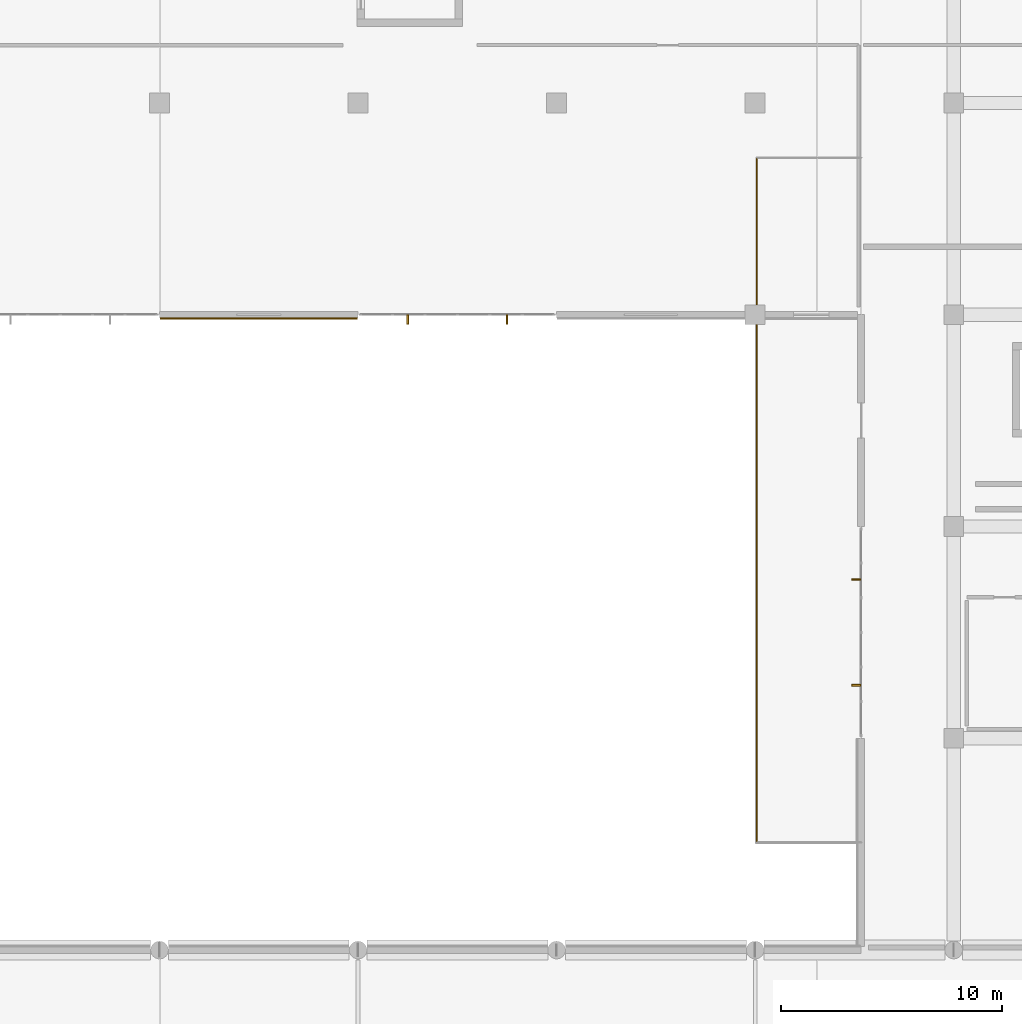
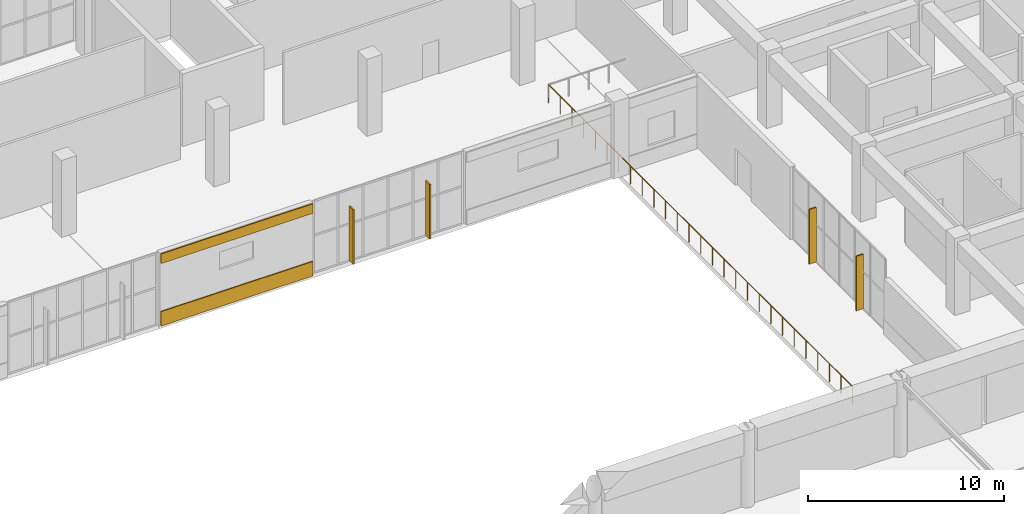
# One storey, part 89 of 96: 4 shading devices, 2 coverings, 1 railing.
"""IFC4 building model written with IfcOpenShell, lengths in metres."""

from ifc_helpers import new_model, si_unit, direction, frame, origin, origin_2d, place, context, subcontext, project, spatial, rectangle, circle, extrude, material, layer, layer_set, type_object, element, save


model = new_model("IFC4")

# Units and contexts
model_context = context("Model", 3, precision=1e-05, world=origin(), true_north=direction((0.0, 1.0)))
body_context = subcontext(model_context, "Body", "Model", "MODEL_VIEW")
ifc_project = project(units=[si_unit("LENGTHUNIT", "METRE"), si_unit("AREAUNIT", "SQUARE_METRE"), si_unit("VOLUMEUNIT", "CUBIC_METRE"), si_unit("PLANEANGLEUNIT", "RADIAN"), si_unit("MASSUNIT", "GRAM", prefix="KILO")], contexts=[model_context])

# Site, building, storey
site_placement = place(None, origin())
site = spatial("IfcSite", under=ifc_project, at=site_placement, CompositionType="ELEMENT")
building_placement = place(site_placement, origin())
building = spatial("IfcBuilding", under=site, at=building_placement, Name="Cendralis Terraced Arcade", CompositionType="ELEMENT")
storey_placement = place(building_placement, frame((0.0, 0.0, 10.199951171875)))
storey = spatial("IfcBuildingStorey", under=building, at=storey_placement, Name="L02", CompositionType="ELEMENT", Elevation=10.199951171875)

# Coverings
ifc_material_1 = material(Name="Precast concrete f'c 40 MPa", Category="concrete")
ifc_layer = layer(ifc_material_1, 0.06494140625, Name="COV-CLAD-GRC-65")
ifc_layer_set = layer_set([ifc_layer], Name="Precast concrete f'c 40 MPa")
covering_type = type_object("IfcCoveringType", Name="COV-CLAD-GRC-65", PredefinedType="CLADDING", material=ifc_layer_set)
covering_1_placement = place(storey_placement, frame((98.699951171875, 88.6201171875, 0.0), z_axis=(0.0, 0.0, 1.0), x_axis=(-1.0, 0.0, 0.0)))
element("IfcCovering", 1, at=covering_1_placement, inside=storey, type_object=covering_type, Name="Banded Precast Stone Spandrel Cladding L02-247", PredefinedType="CLADDING", context=body_context, shape_type="SweptSolid", body=[
    extrude(rectangle(XDim=8.93994140625, YDim=0.06494140625, at=origin_2d()), origin(), (0.0, 0.0, 1.0), 0.89990234375),
])
covering_2_placement = place(storey_placement, frame((98.699951171875, 88.6201171875, 3.89501953125), z_axis=(0.0, 0.0, 1.0), x_axis=(-1.0, 0.0, 0.0)))
element("IfcCovering", 2, at=covering_2_placement, inside=storey, type_object=covering_type, Name="Banded Precast Stone Lintel Cladding L02-248", PredefinedType="CLADDING", context=body_context, shape_type="SweptSolid", body=[
    extrude(rectangle(XDim=8.93994140625, YDim=0.06494140625, at=origin_2d()), origin(), (0.0, 0.0, 1.0), 0.60009765625),
])

# Railing
ifc_material_2 = material(Name="Brushed stainless steel AISI 316", Category="steel")
railing_type = type_object("IfcRailingType", Name="RL-TER-GUARD-1150", PredefinedType="GUARDRAIL", material=ifc_material_2)
railing_placement = place(storey_placement, frame((121.280029296875, 64.8798828125, 0.0)))
element("IfcRailing", 3, at=railing_placement, inside=storey, type_object=railing_type, Name="Planted Terrace Perimeter Guardrail GR-TER-L02-007", PredefinedType="GUARDRAIL", context=body_context, shape_type="SweptSolid", body=[
    extrude(circle(Radius=0.02392578125, at=origin_2d()), frame((0.0, 0.0, 1.1259765625), z_axis=(0.0, 1.0, 0.0), x_axis=(-1.0, 0.0, 0.0)), (0.0, 0.0, 1.0), 31.0400390625),
    extrude(circle(Radius=0.02099609375, at=origin_2d()), origin(), (0.0, 0.0, 1.0), 1.101806640625),
    extrude(circle(Radius=0.02099609375, at=origin_2d()), frame((0.0, 1.19384765625, 0.0)), (0.0, 0.0, 1.0), 1.101806640625),
    extrude(circle(Radius=0.02099609375, at=origin_2d()), frame((0.0, 2.3876953125, 0.0)), (0.0, 0.0, 1.0), 1.101806640625),
    extrude(circle(Radius=0.02099609375, at=origin_2d()), frame((0.0, 3.58154296875, 0.0)), (0.0, 0.0, 1.0), 1.101806640625),
    extrude(circle(Radius=0.02099609375, at=origin_2d()), frame((0.0, 4.775390625, 0.0)), (0.0, 0.0, 1.0), 1.101806640625),
    extrude(circle(Radius=0.02099609375, at=origin_2d()), frame((0.0, 5.96923828125, 0.0)), (0.0, 0.0, 1.0), 1.101806640625),
    extrude(circle(Radius=0.02099609375, at=origin_2d()), frame((0.0, 7.1630859375, 0.0)), (0.0, 0.0, 1.0), 1.101806640625),
    extrude(circle(Radius=0.02099609375, at=origin_2d()), frame((0.0, 8.35693359375, 0.0)), (0.0, 0.0, 1.0), 1.101806640625),
    extrude(circle(Radius=0.02099609375, at=origin_2d()), frame((0.0, 9.55078125, 0.0)), (0.0, 0.0, 1.0), 1.101806640625),
    extrude(circle(Radius=0.02099609375, at=origin_2d()), frame((0.0, 10.74462890625, 0.0)), (0.0, 0.0, 1.0), 1.101806640625),
    extrude(circle(Radius=0.02099609375, at=origin_2d()), frame((0.0, 11.9384765625, 0.0)), (0.0, 0.0, 1.0), 1.101806640625),
    extrude(circle(Radius=0.02099609375, at=origin_2d()), frame((0.0, 13.13232421875, 0.0)), (0.0, 0.0, 1.0), 1.101806640625),
    extrude(circle(Radius=0.02099609375, at=origin_2d()), frame((0.0, 14.326171875, 0.0)), (0.0, 0.0, 1.0), 1.101806640625),
    extrude(circle(Radius=0.02099609375, at=origin_2d()), frame((0.0, 15.52001953125, 0.0)), (0.0, 0.0, 1.0), 1.101806640625),
    extrude(circle(Radius=0.02099609375, at=origin_2d()), frame((0.0, 16.7138671875, 0.0)), (0.0, 0.0, 1.0), 1.101806640625),
    extrude(circle(Radius=0.02099609375, at=origin_2d()), frame((0.0, 17.90771484375, 0.0)), (0.0, 0.0, 1.0), 1.101806640625),
    extrude(circle(Radius=0.02099609375, at=origin_2d()), frame((0.0, 19.1015625, 0.0)), (0.0, 0.0, 1.0), 1.101806640625),
    extrude(circle(Radius=0.02099609375, at=origin_2d()), frame((0.0, 20.29541015625, 0.0)), (0.0, 0.0, 1.0), 1.101806640625),
    extrude(circle(Radius=0.02099609375, at=origin_2d()), frame((0.0, 21.4892578125, 0.0)), (0.0, 0.0, 1.0), 1.101806640625),
    extrude(circle(Radius=0.02099609375, at=origin_2d()), frame((0.0, 22.68310546875, 0.0)), (0.0, 0.0, 1.0), 1.101806640625),
    extrude(circle(Radius=0.02099609375, at=origin_2d()), frame((0.0, 23.876953125, 0.0)), (0.0, 0.0, 1.0), 1.101806640625),
    extrude(circle(Radius=0.02099609375, at=origin_2d()), frame((0.0, 25.07080078125, 0.0)), (0.0, 0.0, 1.0), 1.101806640625),
    extrude(circle(Radius=0.02099609375, at=origin_2d()), frame((0.0, 26.2646484375, 0.0)), (0.0, 0.0, 1.0), 1.101806640625),
    extrude(circle(Radius=0.02099609375, at=origin_2d()), frame((0.0, 27.45849609375, 0.0)), (0.0, 0.0, 1.0), 1.101806640625),
    extrude(circle(Radius=0.02099609375, at=origin_2d()), frame((0.0, 28.65234375, 0.0)), (0.0, 0.0, 1.0), 1.101806640625),
    extrude(circle(Radius=0.02099609375, at=origin_2d()), frame((0.0, 29.84619140625, 0.0)), (0.0, 0.0, 1.0), 1.101806640625),
    extrude(circle(Radius=0.02099609375, at=origin_2d()), frame((0.0, 31.0400390625, 0.0)), (0.0, 0.0, 1.0), 1.101806640625),
])

# Shading devices
ifc_material_3 = material(Name="Anodised aluminium EN AW-6063 T6", Category="aluminium")
shading_device_type = type_object("IfcShadingDeviceType", Name="SHD-FIN-420", PredefinedType="USERDEFINED", material=ifc_material_3)
for number, where, z_axis, x_axis, name in (
    (4, (125.784912109375, 72.0, 0.050048828125), (0.0, 0.0, 1.0), (0.0, 1.0, 0.0), "Parametric Vertical Solar Fin FIN-L02-039"),
    (5, (125.784912109375, 76.800048828125, 0.050048828125), (0.0, 0.0, 1.0), (0.0, 1.0, 0.0), "Parametric Vertical Solar Fin FIN-L02-040"),
    (6, (109.949951171875, 88.5849609375, 0.050048828125), (0.0, 0.0, 1.0), (-1.0, 0.0, 0.0), "Parametric Vertical Solar Fin FIN-L02-041"),
    (7, (105.449951171875, 88.5849609375, 0.050048828125), (0.0, 0.0, 1.0), (-1.0, 0.0, 0.0), "Parametric Vertical Solar Fin FIN-L02-042"),
):
    element("IfcShadingDevice", number, at=place(storey_placement, frame(where, z_axis=z_axis, x_axis=x_axis)), inside=storey, type_object=shading_device_type, Name=name, ObjectType="FIN", PredefinedType="USERDEFINED", context=body_context, shape_type="SweptSolid", body=[
        extrude(rectangle(XDim=0.074951171875, YDim=0.419921875, at=origin_2d()), origin(), (0.0, 0.0, 1.0), 3.39990234375),
    ])

save(model, "model.ifc")
